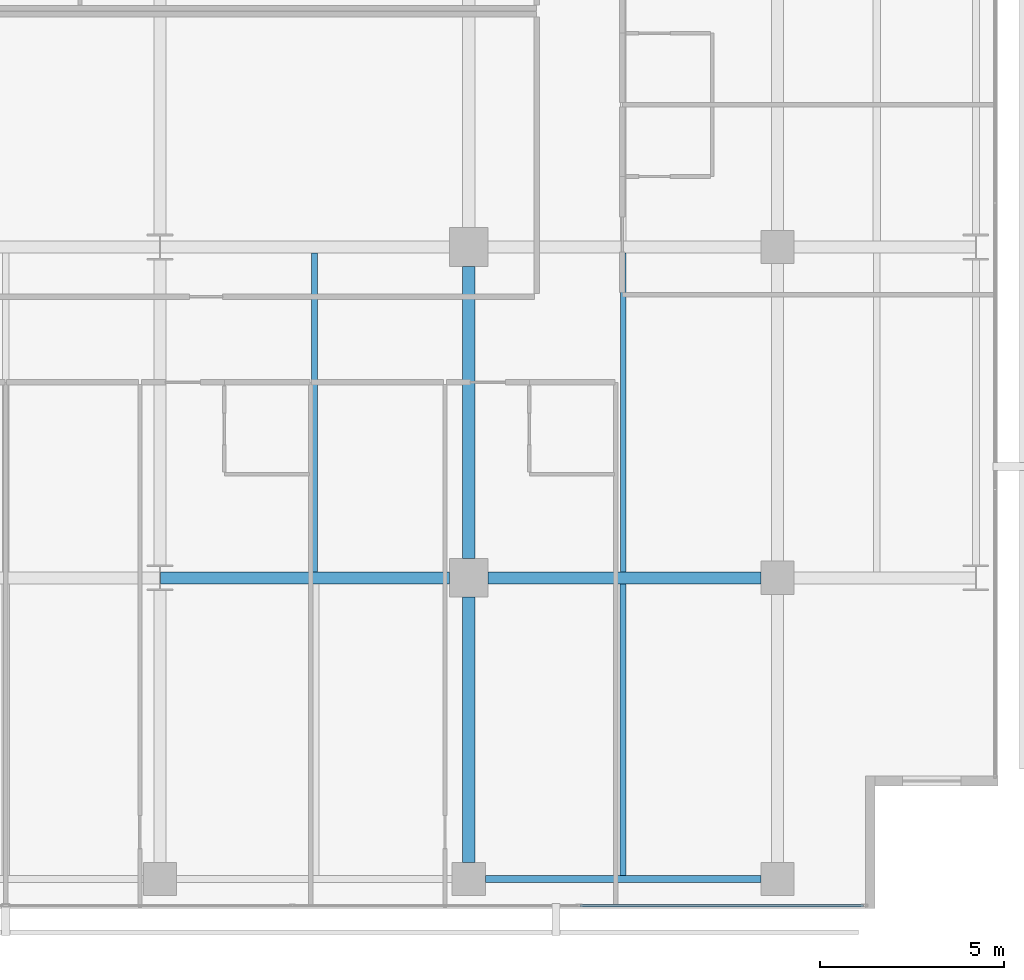
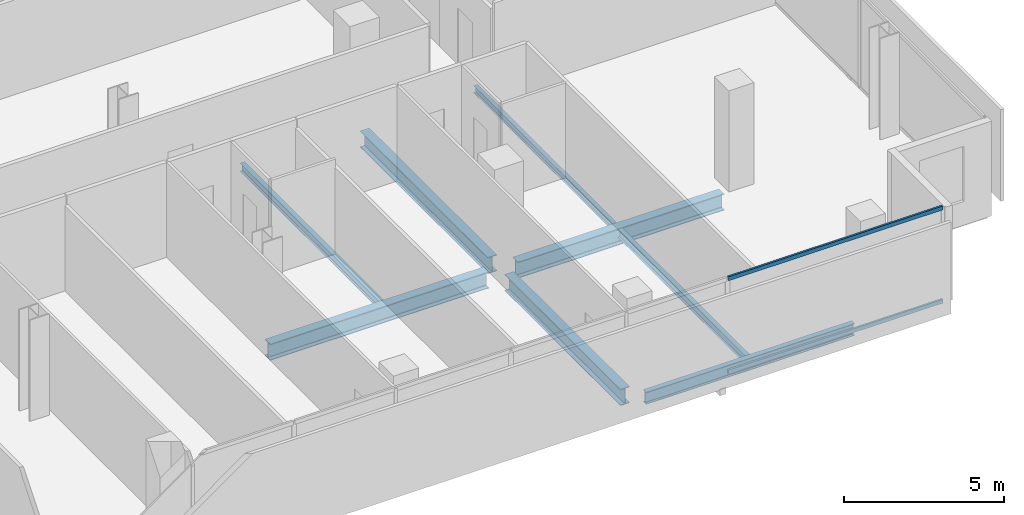
# One storey, part 15 of 40: 8 beams, 2 members, 1 element without a shape of its own.
"""IFC4 building model written with IfcOpenShell, lengths in metres."""

from ifc_helpers import new_model, si_unit, direction, frame, origin, origin_2d, place, context, subcontext, project, spatial, hollow_rectangle, i_section, extrude, material, layer, layer_set, material_profile, profile_set, type_object, element, aggregate, save


model = new_model("IFC4")

# Units and contexts
model_context = context("Model", 3, precision=1e-05, world=origin(), true_north=direction((0.0, 1.0)))
body_context = subcontext(model_context, "Body", "Model", "MODEL_VIEW")
ifc_project = project(units=[si_unit("LENGTHUNIT", "METRE"), si_unit("AREAUNIT", "SQUARE_METRE"), si_unit("VOLUMEUNIT", "CUBIC_METRE"), si_unit("PLANEANGLEUNIT", "RADIAN"), si_unit("MASSUNIT", "GRAM", prefix="KILO")], contexts=[model_context])

# Site, building, storey
site_placement = place(None, origin())
site = spatial("IfcSite", under=ifc_project, at=site_placement, CompositionType="ELEMENT")
building_placement = place(site_placement, origin())
building = spatial("IfcBuilding", under=site, at=building_placement, Name="Maruvema Waterfront Hotel and Observation Tower", CompositionType="ELEMENT")
storey_placement = place(building_placement, frame((0.0, 0.0, 42.35009765625)))
storey = spatial("IfcBuildingStorey", under=building, at=storey_placement, Name="L09", CompositionType="ELEMENT", Elevation=42.35009765625)

# Curtain wall, members
ifc_material_1 = material(Name="Anodised bronze aluminium and solar-control low-E IGU", Category="aluminium")
ifc_layer = layer(ifc_material_1, 0.159912109375, Name="Zone 1 Bronze Inner Thermal Curtain Wall System CW-02")
ifc_layer_set = layer_set([ifc_layer], Name="Anodised bronze aluminium and solar-control low-E IGU")
curtain_wall_type = type_object("IfcCurtainWallType", Name="Zone 1 Bronze Inner Thermal Curtain Wall System CW-02", PredefinedType="USERDEFINED", material=ifc_layer_set)
curtain_wall_placement = place(storey_placement, origin())
curtain_wall = element("IfcCurtainWall", 1, at=curtain_wall_placement, inside=storey, type_object=curtain_wall_type, Name="L09 Curtain Wall CW-L09-S", ObjectType="UNITISED CURTAIN WALL", PredefinedType="USERDEFINED")
ifc_material_2 = material(Name="Anodised architectural bronze aluminium", Category="aluminium")
ifc_material_profile_1 = material_profile(ifc_material_2, hollow_rectangle(XDim=0.070068359375, YDim=0.14990234375, WallThickness=0.00390625, at=origin_2d()), Name="ALU-T70x150")
ifc_profile_set_1 = profile_set([ifc_material_profile_1], Name="Anodised architectural bronze aluminium")
member_type = type_object("IfcMemberType", Name="Curtain Wall Horizontal Transom ALU-T70x150", PredefinedType="USERDEFINED", material=ifc_profile_set_1)
member_1_placement = place(storey_placement, frame((53.429931640625, 0.080078125, 0.02978515625), z_axis=(1.0, 0.0, 0.0), x_axis=(0.0, 1.0, 0.0)))
member_1 = element("IfcMember", 2, at=member_1_placement, type_object=member_type, Name="CW-02 transom 6.1", ObjectType="TRANSOM", PredefinedType="USERDEFINED", context=body_context, shape_type="SweptSolid", body=[
    extrude(hollow_rectangle(XDim=0.070068359375, YDim=0.14990234375, WallThickness=0.00390625, at=origin_2d()), origin(), (0.0, 0.0, 1.0), 7.7099609375),
])
member_2_placement = place(storey_placement, frame((53.429931640625, 0.080078125, 3.579833984375), z_axis=(1.0, 0.0, 0.0), x_axis=(0.0, 1.0, 0.0)))
member_2 = element("IfcMember", 3, at=member_2_placement, type_object=member_type, Name="CW-02 transom 6.2", ObjectType="TRANSOM", PredefinedType="USERDEFINED", context=body_context, shape_type="SweptSolid", body=[
    extrude(hollow_rectangle(XDim=0.070068359375, YDim=0.14990234375, WallThickness=0.00390625, at=origin_2d()), origin(), (0.0, 0.0, 1.0), 7.7099609375),
])
aggregate(curtain_wall, [member_1, member_2])

# Beams
ifc_material_3 = material(Name="Steel ASTM A572 Grade 50", Category="steel")
ifc_material_profile_2 = material_profile(ifc_material_3, i_section(OverallWidth=0.18994140625, OverallDepth=0.45703125, WebThickness=0.009033203125, FlangeThickness=0.014404296875, FilletRadius=0.014892578125, at=origin_2d()), Name="W460x74.0")
ifc_profile_set_2 = profile_set([ifc_material_profile_2], Name="Steel ASTM A572 Grade 50")
beam_type_1 = type_object("IfcBeamType", Name="Perimeter Spandrel Beam W460x74.0", PredefinedType="SPANDREL", material=ifc_profile_set_2)
beam_1_placement = place(storey_placement, frame((50.85009765625, 0.800048828125, -0.468505859375), z_axis=(1.0, 0.0, 0.0), x_axis=(0.0, 1.0, 0.0)))
element("IfcBeam", 4, at=beam_1_placement, inside=storey, type_object=beam_type_1, Name="L09 Floor Girder EW-05", PredefinedType="SPANDREL", context=body_context, shape_type="SweptSolid", body=[
    extrude(i_section(OverallWidth=0.18994140625, OverallDepth=0.45703125, WebThickness=0.009033203125, FlangeThickness=0.014404296875, FilletRadius=0.014892578125, at=origin_2d()), origin(), (0.0, 0.0, 1.0), 7.5),
])
ifc_material_4 = material(Name="Steel ASTM A572 Grade 50", Category="steel")
ifc_material_profile_3 = material_profile(ifc_material_4, i_section(OverallWidth=0.326904296875, OverallDepth=0.6220703125, WebThickness=0.015380859375, FlangeThickness=0.0244140625, FilletRadius=0.01806640625, at=origin_2d()), Name="W610x195.0")
ifc_profile_set_3 = profile_set([ifc_material_profile_3], Name="Steel ASTM A572 Grade 50")
beam_type_2 = type_object("IfcBeamType", Name="Primary Floor Girder W610x195.0", PredefinedType="BEAM", material=ifc_profile_set_3)
beam_2_placement = place(storey_placement, frame((42.013916015625, 9.0, -0.551025390625), z_axis=(1.0, 0.0, 0.0), x_axis=(0.0, 1.0, 0.0)))
element("IfcBeam", 5, at=beam_2_placement, inside=storey, type_object=beam_type_2, Name="L09 Floor Girder EW-10", PredefinedType="BEAM", context=body_context, shape_type="SweptSolid", body=[
    extrude(i_section(OverallWidth=0.326904296875, OverallDepth=0.6220703125, WebThickness=0.015380859375, FlangeThickness=0.0244140625, FilletRadius=0.01806640625, at=origin_2d()), origin(), (0.0, 0.0, 1.0), 7.861083984375),
])
beam_3_placement = place(storey_placement, frame((50.925048828125, 9.0, -0.551025390625), z_axis=(1.0, 0.0, 0.0), x_axis=(0.0, 1.0, 0.0)))
element("IfcBeam", 6, at=beam_3_placement, inside=storey, type_object=beam_type_2, Name="L09 Floor Girder EW-11", PredefinedType="BEAM", context=body_context, shape_type="SweptSolid", body=[
    extrude(i_section(OverallWidth=0.326904296875, OverallDepth=0.6220703125, WebThickness=0.015380859375, FlangeThickness=0.0244140625, FilletRadius=0.01806640625, at=origin_2d()), origin(), (0.0, 0.0, 1.0), 7.425048828125),
])
beam_4_placement = place(storey_placement, frame((50.39990234375, 1.25, -0.551025390625), z_axis=(0.0, 1.0, 0.0), x_axis=(-1.0, 0.0, 0.0)))
element("IfcBeam", 7, at=beam_4_placement, inside=storey, type_object=beam_type_2, Name="L09 Floor Girder NS-22", PredefinedType="BEAM", context=body_context, shape_type="SweptSolid", body=[
    extrude(i_section(OverallWidth=0.326904296875, OverallDepth=0.6220703125, WebThickness=0.015380859375, FlangeThickness=0.0244140625, FilletRadius=0.01806640625, at=origin_2d()), origin(), (0.0, 0.0, 1.0), 7.22509765625),
])
beam_5_placement = place(storey_placement, frame((50.39990234375, 9.52490234375, -0.551025390625), z_axis=(0.0, 1.0, 0.0), x_axis=(-1.0, 0.0, 0.0)))
element("IfcBeam", 8, at=beam_5_placement, inside=storey, type_object=beam_type_2, Name="L09 Floor Girder NS-23", PredefinedType="BEAM", context=body_context, shape_type="SweptSolid", body=[
    extrude(i_section(OverallWidth=0.326904296875, OverallDepth=0.6220703125, WebThickness=0.015380859375, FlangeThickness=0.0244140625, FilletRadius=0.01806640625, at=origin_2d()), origin(), (0.0, 0.0, 1.0), 7.9501953125),
])
ifc_material_5 = material(Name="Steel ASTM A572 Grade 50", Category="steel")
ifc_material_profile_4 = material_profile(ifc_material_5, i_section(OverallWidth=0.14794921875, OverallDepth=0.26611328125, WebThickness=0.007568359375, FlangeThickness=0.012939453125, FilletRadius=0.012939453125, at=origin_2d()), Name="W250x44.8")
ifc_profile_set_4 = profile_set([ifc_material_profile_4], Name="Steel ASTM A572 Grade 50")
beam_type_3 = type_object("IfcBeamType", Name="Secondary Floor Joist W250x44.8", PredefinedType="JOIST", material=ifc_profile_set_4)
beam_6_placement = place(storey_placement, frame((54.60009765625, 9.16357421875, -0.373046875), z_axis=(0.0, 1.0, 0.0), x_axis=(-1.0, 0.0, 0.0)))
element("IfcBeam", 9, at=beam_6_placement, inside=storey, type_object=beam_type_3, Name="L09 Secondary Floor Joist JS-17", PredefinedType="JOIST", context=body_context, shape_type="SweptSolid", body=[
    extrude(i_section(OverallWidth=0.14794921875, OverallDepth=0.26611328125, WebThickness=0.007568359375, FlangeThickness=0.012939453125, FilletRadius=0.012939453125, at=origin_2d()), origin(), (0.0, 0.0, 1.0), 8.6728515625),
])
ifc_material_6 = material(Name="Steel ASTM A572 Grade 50", Category="steel")
ifc_material_profile_5 = material_profile(ifc_material_6, i_section(OverallWidth=0.1650390625, OverallDepth=0.31005859375, WebThickness=0.005859375, FlangeThickness=0.009765625, FilletRadius=0.012939453125, at=origin_2d()), Name="W310x38.7")
ifc_profile_set_5 = profile_set([ifc_material_profile_5], Name="Steel ASTM A572 Grade 50")
beam_type_4 = type_object("IfcBeamType", Name="Secondary Floor Joist W310x38.7", PredefinedType="JOIST", material=ifc_profile_set_5)
beam_7_placement = place(storey_placement, frame((54.60009765625, 0.89501953125, -0.39501953125), z_axis=(0.0, 1.0, 0.0), x_axis=(-1.0, 0.0, 0.0)))
element("IfcBeam", 10, at=beam_7_placement, inside=storey, type_object=beam_type_4, Name="L09 Secondary Floor Joist JS-16", PredefinedType="JOIST", context=body_context, shape_type="SweptSolid", body=[
    extrude(i_section(OverallWidth=0.1650390625, OverallDepth=0.31005859375, WebThickness=0.005859375, FlangeThickness=0.009765625, FilletRadius=0.012939453125, at=origin_2d()), origin(), (0.0, 0.0, 1.0), 7.94140625),
])
ifc_material_7 = material(Name="Steel ASTM A572 Grade 50", Category="steel")
ifc_material_profile_6 = material_profile(ifc_material_7, i_section(OverallWidth=0.1669921875, OverallDepth=0.31689453125, WebThickness=0.007568359375, FlangeThickness=0.01318359375, FilletRadius=0.012939453125, at=origin_2d()), Name="W310x52.0")
ifc_profile_set_6 = profile_set([ifc_material_profile_6], Name="Steel ASTM A572 Grade 50")
beam_type_5 = type_object("IfcBeamType", Name="Secondary Floor Joist W310x52.0", PredefinedType="JOIST", material=ifc_profile_set_6)
beam_8_placement = place(storey_placement, frame((46.199951171875, 9.16357421875, -0.398681640625), z_axis=(0.0, 1.0, 0.0), x_axis=(-1.0, 0.0, 0.0)))
element("IfcBeam", 11, at=beam_8_placement, inside=storey, type_object=beam_type_5, Name="L09 Secondary Floor Joist JS-15", PredefinedType="JOIST", context=body_context, shape_type="SweptSolid", body=[
    extrude(i_section(OverallWidth=0.1669921875, OverallDepth=0.31689453125, WebThickness=0.007568359375, FlangeThickness=0.01318359375, FilletRadius=0.012939453125, at=origin_2d()), origin(), (0.0, 0.0, 1.0), 8.6728515625),
])

save(model, "model.ifc")
